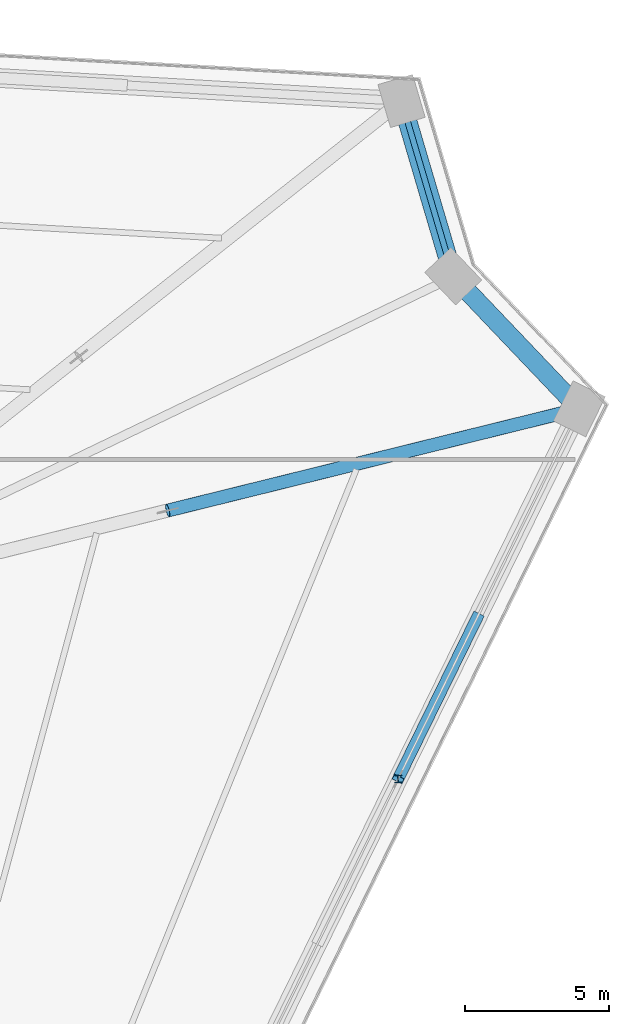
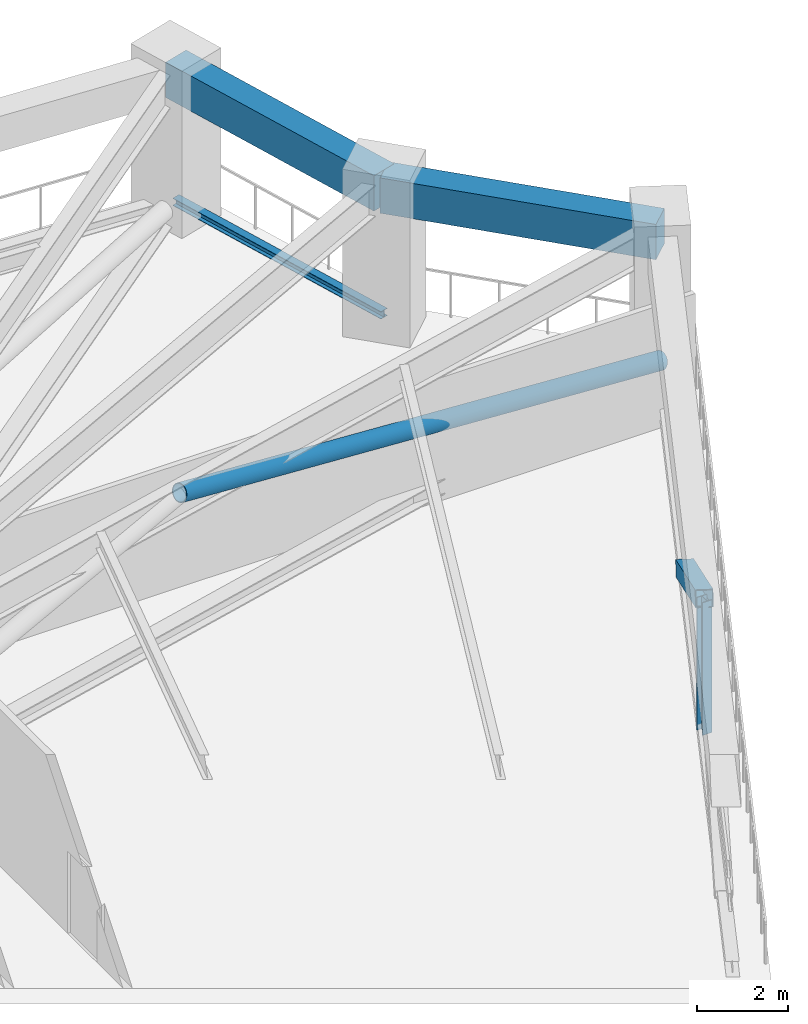
# One storey, part 8 of 25: 4 members, 2 beams.
"""IFC4 building model written with IfcOpenShell, lengths in metres."""

from ifc_helpers import new_model, si_unit, direction, frame, origin, origin_2d, place, context, subcontext, project, spatial, rectangle, hollow_rectangle, hollow_circle, i_section, extrude, source, transform, mapped, material, material_profile, profile_set, type_object, element, save


model = new_model("IFC4")

# Units and contexts
model_context = context("Model", 3, precision=1e-05, world=origin(), true_north=direction((0.0, 1.0)))
body_context = subcontext(model_context, "Body", "Model", "MODEL_VIEW")
ifc_project = project(units=[si_unit("LENGTHUNIT", "METRE"), si_unit("AREAUNIT", "SQUARE_METRE"), si_unit("VOLUMEUNIT", "CUBIC_METRE"), si_unit("PLANEANGLEUNIT", "RADIAN"), si_unit("MASSUNIT", "GRAM", prefix="KILO")], contexts=[model_context])

# Site, building, storey
site_placement = place(None, origin())
site = spatial("IfcSite", under=ifc_project, at=site_placement, CompositionType="ELEMENT")
building_placement = place(site_placement, origin())
building = spatial("IfcBuilding", under=site, at=building_placement, Name="Liaohun Quay Tower", CompositionType="ELEMENT")
storey_placement = place(building_placement, frame((0.0, 0.0, 93.0)))
storey = spatial("IfcBuildingStorey", under=building, at=storey_placement, Name="L24", CompositionType="ELEMENT", Elevation=93.0)

# Beams
ifc_material_1 = material(Name="Precast concrete C55", Category="concrete")
ifc_material_profile_1 = material_profile(ifc_material_1, rectangle(XDim=0.64990234375, YDim=0.949951171875, at=origin_2d()), Name="RC650x950")
ifc_profile_set_1 = profile_set([ifc_material_profile_1], Name="Precast concrete C55")
beam_type = type_object("IfcBeamType", Name="BM-SPD-Z1", PredefinedType="SPANDREL", material=ifc_profile_set_1)
shared_shape_1 = source(origin(), body_context, "Body", "SweptSolid", [
    extrude(rectangle(XDim=0.64990234375, YDim=0.949951171875, at=origin_2d()), origin(), (0.0, 0.0, 1.0), 6.331298828125),
])
beam_1_placement = place(storey_placement, frame((91.364990234375, 79.215087890625, 3.7451171875), z_axis=(0.282727863504, -0.959200164303, 0.0), x_axis=(0.959200164303, 0.282727863504, 0.0)))
element("IfcBeam", 1, at=beam_1_placement, inside=storey, type_object=beam_type, Name="L24 Precast Spandrel Beam PC07-PC08", PredefinedType="SPANDREL", context=body_context, shape_type="MappedRepresentation", body=[
    mapped(shared_shape_1, transform((0.0, 0.0, 0.0), x_axis=(1.0, 0.0, 0.0), y_axis=(0.0, 1.0, 0.0), z_axis=(0.0, 0.0, 1.0), scale=1.0)),
])
shared_shape_2 = source(origin(), body_context, "Body", "SweptSolid", [
    extrude(rectangle(XDim=0.64990234375, YDim=0.949951171875, at=origin_2d()), origin(), (0.0, 0.0, 1.0), 6.3388671875),
])
beam_2_placement = place(storey_placement, frame((93.155029296875, 73.14208984375, 3.7451171875), z_axis=(0.689365642578, -0.724413563397, 0.0), x_axis=(0.724413563397, 0.689365642578, 0.0)))
element("IfcBeam", 2, at=beam_2_placement, inside=storey, type_object=beam_type, Name="L24 Precast Spandrel Beam PC08-PC09", PredefinedType="SPANDREL", context=body_context, shape_type="MappedRepresentation", body=[
    mapped(shared_shape_2, transform((0.0, 0.0, 0.0), x_axis=(1.0, 0.0, 0.0), y_axis=(0.0, 1.0, 0.0), z_axis=(0.0, 0.0, 1.0), scale=1.0)),
])

# Members
ifc_material_2 = material(Name="Steel Q420D", Category="steel")
ifc_material_profile_2 = material_profile(ifc_material_2, hollow_circle(Radius=0.228515625, WallThickness=0.02001953125, at=origin_2d()), Name="CHS457x20")
ifc_profile_set_2 = profile_set([ifc_material_profile_2], Name="Steel Q420D")
member_type_1 = type_object("IfcMemberType", Name="MEM-OUT-DG1", PredefinedType="BRACE", material=ifc_profile_set_2)
shared_shape_3 = source(origin(), body_context, "Body", "SweptSolid", [
    extrude(hollow_circle(Radius=0.228515625, WallThickness=0.02001953125, at=origin_2d()), origin(), (0.0, 0.0, 1.0), 15.11865234375),
])
member_1_placement = place(storey_placement, frame((83.262939453125, 65.02490234375, 3.919921875), z_axis=(0.9433350999, 0.233165268799, -0.236120407257), x_axis=(-0.239950145906, 0.970785211815, 0.0)))
element("IfcMember", 3, at=member_1_placement, inside=storey, type_object=member_type_1, Name="L24 Outrigger Diagonal OD-05B", PredefinedType="BRACE", context=body_context, shape_type="MappedRepresentation", body=[
    mapped(shared_shape_3, transform((0.0, 0.0, 0.0), x_axis=(1.0, 0.0, 0.0), y_axis=(0.0, 1.0, 0.0), z_axis=(0.0, 0.0, 1.0), scale=1.0)),
])
ifc_material_3 = material(Name="Steel Q355D", Category="steel")
ifc_material_profile_3 = material_profile(ifc_material_3, i_section(OverallWidth=0.25, OverallDepth=0.25, WebThickness=0.009033203125, FlangeThickness=0.013916015625, at=origin_2d()), Name="HW250x250x9x14")
ifc_profile_set_3 = profile_set([ifc_material_profile_3], Name="Steel Q355D")
member_type_2 = type_object("IfcMemberType", Name="MEM-BLT-PST", PredefinedType="POST", material=ifc_profile_set_3)
shared_shape_4 = source(origin(), body_context, "Body", "SweptSolid", [
    extrude(i_section(OverallWidth=0.25, OverallDepth=0.25, WebThickness=0.009033203125, FlangeThickness=0.013916015625, at=origin_2d()), origin(), (0.0, 0.0, 1.0), 3.56982421875),
])
member_2_placement = place(storey_placement, frame((91.24609375, 55.72802734375, 0.35009765625), z_axis=(0.0, 0.0, 1.0), x_axis=(1.0, 0.0, 0.0)))
element("IfcMember", 4, at=member_2_placement, inside=storey, type_object=member_type_2, Name="L24 Belt Truss Vertical Post BP-1-05", PredefinedType="POST", context=body_context, shape_type="MappedRepresentation", body=[
    mapped(shared_shape_4, transform((0.0, 0.0, 0.0), x_axis=(1.0, 0.0, 0.0), y_axis=(0.0, 1.0, 0.0), z_axis=(0.0, 0.0, 1.0), scale=1.0)),
])
ifc_material_profile_4 = material_profile(ifc_material_2, hollow_rectangle(XDim=0.39990234375, YDim=0.39990234375, WallThickness=0.02001953125, at=origin_2d()), Name="SHS400x400x20")
ifc_profile_set_4 = profile_set([ifc_material_profile_4], Name="Steel Q420D")
member_type_3 = type_object("IfcMemberType", Name="MEM-BLT-DG1", PredefinedType="BRACE", material=ifc_profile_set_4)
shared_shape_5 = source(origin(), body_context, "Body", "SweptSolid", [
    extrude(hollow_rectangle(XDim=0.39990234375, YDim=0.39990234375, WallThickness=0.02001953125, at=origin_2d()), origin(), (0.0, 0.0, 1.0), 7.2255859375),
])
member_3_placement = place(storey_placement, frame((94.009033203125, 61.3701171875, 0.35009765625), z_axis=(-0.382377023331, -0.780837060103, 0.494045845644), x_axis=(0.898096228089, -0.439799005334, 0.0)))
element("IfcMember", 5, at=member_3_placement, inside=storey, type_object=member_type_3, Name="L24 Belt Truss Diagonal BD-05A", PredefinedType="BRACE", context=body_context, shape_type="MappedRepresentation", body=[
    mapped(shared_shape_5, transform((0.0, 0.0, 0.0), x_axis=(1.0, 0.0, 0.0), y_axis=(0.0, 1.0, 0.0), z_axis=(0.0, 0.0, 1.0), scale=1.0)),
])
ifc_material_profile_5 = material_profile(ifc_material_3, i_section(OverallWidth=0.199951171875, OverallDepth=0.199951171875, WebThickness=0.008056640625, FlangeThickness=0.011962890625, at=origin_2d()), Name="HW200x200x8x12")
ifc_profile_set_5 = profile_set([ifc_material_profile_5], Name="Steel Q355D")
member_type_4 = type_object("IfcMemberType", Name="MEM-HDR-TRM", PredefinedType="STUD", material=ifc_profile_set_5)
shared_shape_6 = source(origin(), body_context, "Body", "SweptSolid", [
    extrude(i_section(OverallWidth=0.199951171875, OverallDepth=0.199951171875, WebThickness=0.008056640625, FlangeThickness=0.011962890625, at=origin_2d()), origin(), (0.0, 0.0, 1.0), 6.331298828125),
])
member_4_placement = place(storey_placement, frame((91.364990234375, 79.215087890625, 0.35009765625), z_axis=(0.282727863504, -0.959200164303, 0.0), x_axis=(0.959200164303, 0.282727863504, 0.0)))
element("IfcMember", 6, at=member_4_placement, inside=storey, type_object=member_type_4, Name="L24 Refuge Notch Header Tie Stud HT-1-02", PredefinedType="STUD", context=body_context, shape_type="MappedRepresentation", body=[
    mapped(shared_shape_6, transform((0.0, 0.0, 0.0), x_axis=(1.0, 0.0, 0.0), y_axis=(0.0, 1.0, 0.0), z_axis=(0.0, 0.0, 1.0), scale=1.0)),
])

save(model, "model.ifc")
